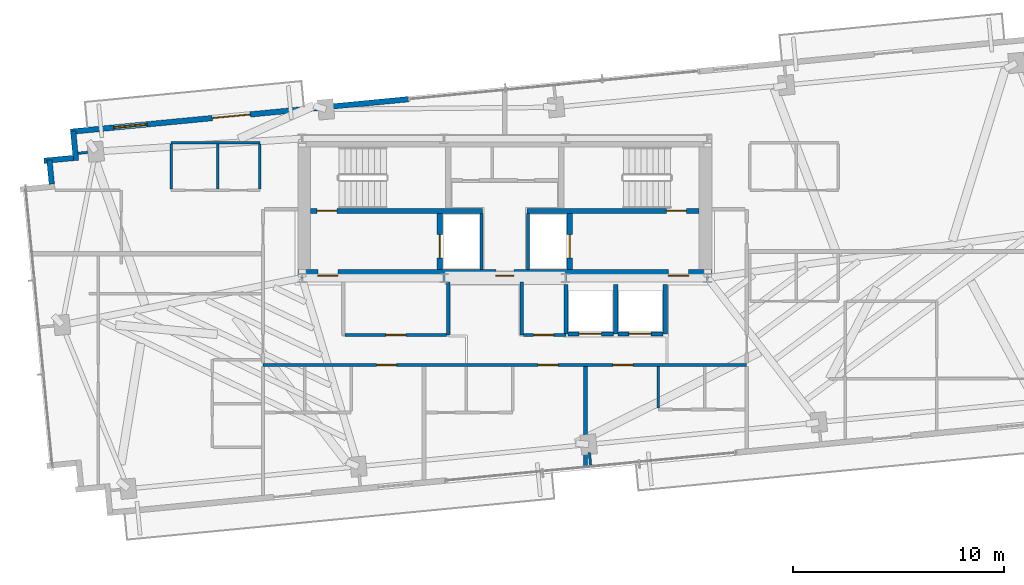
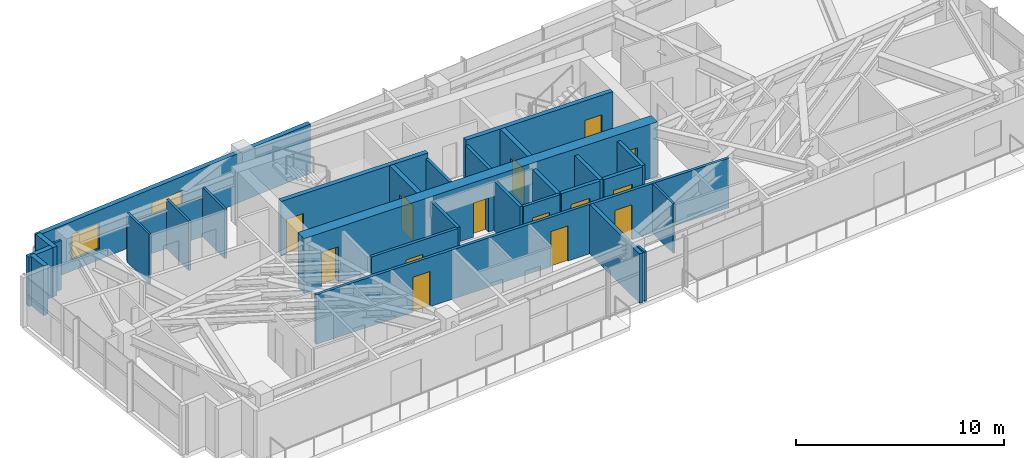
# One storey, part 14 of 18: 29 walls, 15 doors, 1 window, 16 openings.
"""IFC4 building model written with IfcOpenShell, lengths in metres."""

from ifc_helpers import new_model, si_unit, direction, frame, frame_2d, origin, place, context, subcontext, project, spatial, rectangle, extrude, source, transform, mapped, material, layer, layer_set, type_object, type_shapes, element, fill, save


model = new_model("IFC4")

# Units and contexts
model_context = context("Model", 3, precision=1e-05, world=origin(), true_north=direction((0.0, 1.0)))
body_context = subcontext(model_context, "Body", "Model", "MODEL_VIEW")
ifc_project = project(units=[si_unit("LENGTHUNIT", "METRE"), si_unit("AREAUNIT", "SQUARE_METRE"), si_unit("VOLUMEUNIT", "CUBIC_METRE"), si_unit("PLANEANGLEUNIT", "RADIAN"), si_unit("MASSUNIT", "GRAM", prefix="KILO")], contexts=[model_context])

# Site, building, storey
site_placement = place(None, origin())
site = spatial("IfcSite", under=ifc_project, at=site_placement, CompositionType="ELEMENT")
building_placement = place(site_placement, origin())
building = spatial("IfcBuilding", under=site, at=building_placement, Name="Astriad Promenade Condominiums", CompositionType="ELEMENT")
storey_placement = place(building_placement, frame((0.0, 0.0, 208.199951171875)))
storey = spatial("IfcBuildingStorey", under=building, at=storey_placement, Name="L60", CompositionType="ELEMENT", Elevation=208.199951171875)

# Wall, openings, doors
ifc_material_1 = material(Name="Concrete C50/60", Category="concrete")
ifc_layer_1 = layer(ifc_material_1, 0.60009765625)
ifc_layer_set_1 = layer_set([ifc_layer_1], Name="Concrete C50/60")
wall_type_1 = type_object("IfcWallType", Name="CW-SHEAR-600", PredefinedType="SHEAR", material=ifc_layer_set_1)
wall_1_placement = place(storey_placement, frame((26.199951171875, 17.5, 0.0), z_axis=(0.0, 0.0, 1.0), x_axis=(1.0, 0.0, 0.0)))
wall_1 = element("IfcWall", 1, at=wall_1_placement, inside=storey, type_object=wall_type_1, Name="CW-CORE-S-L60", PredefinedType="SHEAR", context=body_context, shape_type="SweptSolid", body=[
    extrude(rectangle(XDim=19.60009765625, YDim=0.60009765625, at=frame_2d((9.800048828125, 0.0))), origin(), (0.0, 0.0, 1.0), 3.199951171875),
])
opening_1_placement = place(wall_1_placement, frame((0.949951171875, 0.0, 0.0)))
opening_1 = element("IfcOpeningElement", 2, at=opening_1_placement, cuts=wall_1, Name="Opening FD90-ST-095", PredefinedType="OPENING", context=body_context, shape_type="SweptSolid", body=[
    extrude(rectangle(XDim=0.949951171875, YDim=2.06005859375, at=frame_2d((0.47509765625, 1.030029296875))), frame((0.0, 0.31005859375, 0.0), z_axis=(0.0, -1.0, 0.0), x_axis=(1.0, 0.0, 0.0)), (0.0, 0.0, 1.0), 0.6201171875),
])
opening_2_placement = place(wall_1_placement, frame((9.3798828125, 0.0, 0.0)))
opening_2 = element("IfcOpeningElement", 3, at=opening_2_placement, cuts=wall_1, Name="Opening FD60-ULOW-085", PredefinedType="OPENING", context=body_context, shape_type="SweptSolid", body=[
    extrude(rectangle(XDim=0.85009765625, YDim=2.0, at=frame_2d((0.425048828125, 1.0))), frame((0.0, 0.31005859375, 0.0), z_axis=(0.0, -1.0, 0.0), x_axis=(1.0, 0.0, 0.0)), (0.0, 0.0, 1.0), 0.6201171875),
])
opening_3_placement = place(wall_1_placement, frame((17.550048828125, 0.0, 0.0)))
opening_3 = element("IfcOpeningElement", 4, at=opening_3_placement, cuts=wall_1, Name="Opening FD90-ST-095", PredefinedType="OPENING", context=body_context, shape_type="SweptSolid", body=[
    extrude(rectangle(XDim=0.949951171875, YDim=2.06005859375, at=frame_2d((0.47509765625, 1.030029296875))), frame((0.0, 0.31005859375, 0.0), z_axis=(0.0, -1.0, 0.0), x_axis=(1.0, 0.0, 0.0)), (0.0, 0.0, 1.0), 0.6201171875),
])
ifc_material_2 = material(Name="Fire-Rated Hollow Metal Stair Door")
door_type_1 = type_object("IfcDoorType", Name="FD90-ST-095", OperationType="NOTDEFINED", PredefinedType="DOOR", material=ifc_material_2)
shared_shape_1 = source(origin(), body_context, "Body", "SweptSolid", [
    extrude(rectangle(XDim=0.949951171875, YDim=2.06005859375, at=frame_2d((0.47509765625, 1.030029296875))), frame((0.0, 0.02490234375, 0.0), z_axis=(0.0, -1.0, 0.0), x_axis=(1.0, 0.0, 0.0)), (0.0, 0.0, 1.0), 0.050048828125),
])
type_shapes(door_type_1, [shared_shape_1])
door_1_placement = place(opening_1_placement, origin())
door_1 = element("IfcDoor", 5, at=door_1_placement, inside=storey, type_object=door_type_1, Name="D-FFW-L60", OperationType="SINGLE_SWING_LEFT", OverallHeight=2.06005859375, OverallWidth=0.949951171875, PredefinedType="DOOR", context=body_context, shape_type="MappedRepresentation", body=[
    mapped(shared_shape_1, transform((0.0, 0.0, 0.0), scale=1.0)),
])
fill(opening_1, door_1)
door_2_placement = place(opening_3_placement, origin())
door_2 = element("IfcDoor", 6, at=door_2_placement, inside=storey, type_object=door_type_1, Name="D-FFE-L60", OperationType="SINGLE_SWING_RIGHT", OverallHeight=2.06005859375, OverallWidth=0.949951171875, PredefinedType="DOOR", context=body_context, shape_type="MappedRepresentation", body=[
    mapped(shared_shape_1, transform((0.0, 0.0, 0.0), scale=1.0)),
])
fill(opening_3, door_2)
ifc_material_3 = material(Name="Solid-Core Low-Headroom Fire Door")
door_type_2 = type_object("IfcDoorType", Name="FD60-ULOW-085", OperationType="NOTDEFINED", PredefinedType="DOOR", material=ifc_material_3)
shared_shape_2 = source(origin(), body_context, "Body", "SweptSolid", [
    extrude(rectangle(XDim=0.85009765625, YDim=2.0, at=frame_2d((0.425048828125, 1.0))), frame((0.0, 0.02490234375, 0.0), z_axis=(0.0, -1.0, 0.0), x_axis=(1.0, 0.0, 0.0)), (0.0, 0.0, 1.0), 0.050048828125),
])
type_shapes(door_type_2, [shared_shape_2])
door_3_placement = place(opening_2_placement, origin())
door_3 = element("IfcDoor", 7, at=door_3_placement, inside=storey, type_object=door_type_2, Name="D-CSL-L60", OperationType="SINGLE_SWING_RIGHT", OverallHeight=2.0, OverallWidth=0.85009765625, PredefinedType="DOOR", context=body_context, shape_type="MappedRepresentation", body=[
    mapped(shared_shape_2, transform((0.0, 0.0, 0.0), scale=1.0)),
])
fill(opening_2, door_3)

# Wall, opening, door
ifc_layer_2 = layer(ifc_material_1, 0.25)
ifc_layer_set_2 = layer_set([ifc_layer_2], Name="Concrete C50/60")
wall_type_2 = type_object("IfcWallType", Name="WALL-CORE-INT-250", PredefinedType="SOLIDWALL", material=ifc_layer_set_2)
wall_2_placement = place(storey_placement, frame((26.802001953125, 20.574951171875, 0.0), z_axis=(0.0, 0.0, 1.0), x_axis=(1.0, 0.0, 0.0)))
wall_2 = element("IfcWall", 8, at=wall_2_placement, inside=storey, type_object=wall_type_2, Name="CW-INT-H1-L60", PredefinedType="SOLIDWALL", context=body_context, shape_type="SweptSolid", body=[
    extrude(rectangle(XDim=8.14794921875, YDim=0.25, at=frame_2d((4.073974609375, 0.0))), origin(), (0.0, 0.0, 1.0), 3.199951171875),
])
opening_4_placement = place(wall_2_placement, frame((0.298095703125, 0.0, 0.0)))
opening_4 = element("IfcOpeningElement", 9, at=opening_4_placement, cuts=wall_2, Name="Opening FD90-ST-095", PredefinedType="OPENING", context=body_context, shape_type="SweptSolid", body=[
    extrude(rectangle(XDim=0.949951171875, YDim=2.06005859375, at=frame_2d((0.47509765625, 1.030029296875))), frame((0.0, 0.135009765625, 0.0), z_axis=(0.0, -1.0, 0.0), x_axis=(1.0, 0.0, 0.0)), (0.0, 0.0, 1.0), 0.27001953125),
])
door_4_placement = place(opening_4_placement, origin())
door_4 = element("IfcDoor", 10, at=door_4_placement, inside=storey, type_object=door_type_1, Name="D-ST1-L60", OperationType="SINGLE_SWING_RIGHT", OverallHeight=2.06005859375, OverallWidth=0.949951171875, PredefinedType="DOOR", context=body_context, shape_type="MappedRepresentation", body=[
    mapped(shared_shape_1, transform((0.0, 0.0, 0.0), scale=1.0)),
])
fill(opening_4, door_4)

wall_3_placement = place(storey_placement, frame((37.050048828125, 20.574951171875, 0.0), z_axis=(0.0, 0.0, 1.0), x_axis=(1.0, 0.0, 0.0)))
wall_3 = element("IfcWall", 11, at=wall_3_placement, inside=storey, type_object=wall_type_2, Name="CW-INT-H2-L60", PredefinedType="SOLIDWALL", context=body_context, shape_type="SweptSolid", body=[
    extrude(rectangle(XDim=8.14794921875, YDim=0.25, at=frame_2d((4.073974609375, 0.0))), origin(), (0.0, 0.0, 1.0), 3.199951171875),
])
opening_5_placement = place(wall_3_placement, frame((6.60009765625, 0.0, 0.0)))
opening_5 = element("IfcOpeningElement", 12, at=opening_5_placement, cuts=wall_3, Name="Opening FD90-ST-095", PredefinedType="OPENING", context=body_context, shape_type="SweptSolid", body=[
    extrude(rectangle(XDim=0.949951171875, YDim=2.06005859375, at=frame_2d((0.47509765625, 1.030029296875))), frame((0.0, 0.135009765625, 0.0), z_axis=(0.0, -1.0, 0.0), x_axis=(1.0, 0.0, 0.0)), (0.0, 0.0, 1.0), 0.27001953125),
])
door_5_placement = place(opening_5_placement, origin())
door_5 = element("IfcDoor", 13, at=door_5_placement, inside=storey, type_object=door_type_1, Name="D-ST2-L60", OperationType="SINGLE_SWING_LEFT", OverallHeight=2.06005859375, OverallWidth=0.949951171875, PredefinedType="DOOR", context=body_context, shape_type="MappedRepresentation", body=[
    mapped(shared_shape_1, transform((0.0, 0.0, 0.0), scale=1.0)),
])
fill(opening_5, door_5)

wall_4_placement = place(storey_placement, frame((32.925048828125, 17.802001953125, 0.0), z_axis=(0.0, 0.0, 1.0), x_axis=(0.0, 1.0, 0.0)))
wall_4 = element("IfcWall", 14, at=wall_4_placement, inside=storey, type_object=wall_type_2, Name="CW-FFL1-W-L60", PredefinedType="SOLIDWALL", context=body_context, shape_type="SweptSolid", body=[
    extrude(rectangle(XDim=2.64599609375, YDim=0.25, at=frame_2d((1.322998046875, 0.0))), origin(), (0.0, 0.0, 1.0), 3.199951171875),
])
opening_6_placement = place(wall_4_placement, frame((0.548095703125, 0.0, 0.0)))
opening_6 = element("IfcOpeningElement", 15, at=opening_6_placement, cuts=wall_4, Name="Opening LD-FFL-1122", PredefinedType="OPENING", context=body_context, shape_type="SweptSolid", body=[
    extrude(rectangle(XDim=1.10009765625, YDim=2.080078125, at=frame_2d((0.550048828125, 1.0400390625))), frame((0.0, 0.135009765625, 0.0), z_axis=(0.0, -1.0, 0.0), x_axis=(1.0, 0.0, 0.0)), (0.0, 0.0, 1.0), 0.27001953125),
])
ifc_material_4 = material(Name="Brushed Stainless Steel Fire Elevator Landing Door", Category="steel")
door_type_3 = type_object("IfcDoorType", Name="LD-FFL-1122", OperationType="NOTDEFINED", PredefinedType="DOOR", material=ifc_material_4)
shared_shape_3 = source(origin(), body_context, "Body", "SweptSolid", [
    extrude(rectangle(XDim=1.10009765625, YDim=2.080078125, at=frame_2d((0.550048828125, 1.0400390625))), frame((0.0, 0.02490234375, 0.0), z_axis=(0.0, -1.0, 0.0), x_axis=(1.0, 0.0, 0.0)), (0.0, 0.0, 1.0), 0.050048828125),
])
type_shapes(door_type_3, [shared_shape_3])
door_6_placement = place(opening_6_placement, origin())
door_6 = element("IfcDoor", 16, at=door_6_placement, inside=storey, type_object=door_type_3, Name="Elevator Landing Door FFL-1 (L60)", OperationType="SLIDING_TO_LEFT", OverallHeight=2.080078125, OverallWidth=1.10009765625, PredefinedType="DOOR", context=body_context, shape_type="MappedRepresentation", body=[
    mapped(shared_shape_3, transform((0.0, 0.0, 0.0), scale=1.0)),
])
fill(opening_6, door_6)

wall_5_placement = place(storey_placement, frame((39.074951171875, 17.802001953125, 0.0), z_axis=(0.0, 0.0, 1.0), x_axis=(0.0, 1.0, 0.0)))
wall_5 = element("IfcWall", 17, at=wall_5_placement, inside=storey, type_object=wall_type_2, Name="CW-FFL2-E-L60", PredefinedType="SOLIDWALL", context=body_context, shape_type="SweptSolid", body=[
    extrude(rectangle(XDim=2.64599609375, YDim=0.25, at=frame_2d((1.322998046875, 0.0))), origin(), (0.0, 0.0, 1.0), 3.199951171875),
])
opening_7_placement = place(wall_5_placement, frame((0.548095703125, 0.0, 0.0)))
opening_7 = element("IfcOpeningElement", 18, at=opening_7_placement, cuts=wall_5, Name="Opening LD-FFL-1122", PredefinedType="OPENING", context=body_context, shape_type="SweptSolid", body=[
    extrude(rectangle(XDim=1.10009765625, YDim=2.080078125, at=frame_2d((0.550048828125, 1.0400390625))), frame((0.0, 0.135009765625, 0.0), z_axis=(0.0, -1.0, 0.0), x_axis=(1.0, 0.0, 0.0)), (0.0, 0.0, 1.0), 0.27001953125),
])
door_7_placement = place(opening_7_placement, origin())
door_7 = element("IfcDoor", 19, at=door_7_placement, inside=storey, type_object=door_type_3, Name="Elevator Landing Door FFL-2 (L60)", OperationType="SLIDING_TO_RIGHT", OverallHeight=2.080078125, OverallWidth=1.10009765625, PredefinedType="DOOR", context=body_context, shape_type="MappedRepresentation", body=[
    mapped(shared_shape_3, transform((0.0, 0.0, 0.0), scale=1.0)),
])
fill(opening_7, door_7)

# Walls
ifc_material_5 = material(Name="Fire-Rated Gypsum Partition")
ifc_layer_3 = layer(ifc_material_5, 0.159912109375)
ifc_layer_set_3 = layer_set([ifc_layer_3], Name="Fire-Rated Gypsum Partition")
wall_type_3 = type_object("IfcWallType", Name="WALL-CORR-160", PredefinedType="PARTITIONING", material=ifc_layer_set_3)
for number, where, z_axis, x_axis, name in (
    (20, (34.89990234375, 17.802001953125, 0.0), (0.0, 0.0, 1.0), (0.0, 1.0, 0.0), "CW-FFL1-E-L60"),
    (21, (37.10009765625, 17.802001953125, 0.0), (0.0, 0.0, 1.0), (0.0, 1.0, 0.0), "CW-FFL2-W-L60"),
):
    element("IfcWall", number, at=place(storey_placement, frame(where, z_axis=z_axis, x_axis=x_axis)), inside=storey, type_object=wall_type_3, Name=name, PredefinedType="PARTITIONING", context=body_context, shape_type="SweptSolid", body=[
        extrude(rectangle(XDim=2.64599609375, YDim=0.159912109375, at=frame_2d((1.322998046875, 0.0))), origin(), (0.0, 0.0, 1.0), 2.900146484375),
    ])

# Wall, openings, doors
wall_6_placement = place(storey_placement, frame((24.550048828125, 13.280029296875, 0.0), z_axis=(0.0, 0.0, 1.0), x_axis=(1.0, 0.0, 0.0)))
wall_6 = element("IfcWall", 22, at=wall_6_placement, inside=storey, type_object=wall_type_3, Name="PT-COR-S-L60", PredefinedType="PARTITIONING", context=body_context, shape_type="SweptSolid", body=[
    extrude(rectangle(XDim=22.89990234375, YDim=0.159912109375, at=frame_2d((11.449951171875, 0.0))), origin(), (0.0, 0.0, 1.0), 2.900146484375),
])
opening_8_placement = place(wall_6_placement, frame((5.3779296875, 0.0, 0.0)))
opening_8 = element("IfcOpeningElement", 23, at=opening_8_placement, cuts=wall_6, Name="Opening FD60-APT-095", PredefinedType="OPENING", context=body_context, shape_type="SweptSolid", body=[
    extrude(rectangle(XDim=0.949951171875, YDim=2.06005859375, at=frame_2d((0.47509765625, 1.030029296875))), frame((0.0, 0.08984375, 0.0), z_axis=(0.0, -1.0, 0.0), x_axis=(1.0, 0.0, 0.0)), (0.0, 0.0, 1.0), 0.179931640625),
])
opening_9_placement = place(wall_6_placement, frame((13.02490234375, 0.0, 0.0)))
opening_9 = element("IfcOpeningElement", 24, at=opening_9_placement, cuts=wall_6, Name="Opening FD60-APT-095", PredefinedType="OPENING", context=body_context, shape_type="SweptSolid", body=[
    extrude(rectangle(XDim=0.949951171875, YDim=2.06005859375, at=frame_2d((0.47509765625, 1.030029296875))), frame((0.0, 0.08984375, 0.0), z_axis=(0.0, -1.0, 0.0), x_axis=(1.0, 0.0, 0.0)), (0.0, 0.0, 1.0), 0.179931640625),
])
opening_10_placement = place(wall_6_placement, frame((16.572021484375, 0.0, 0.0)))
opening_10 = element("IfcOpeningElement", 25, at=opening_10_placement, cuts=wall_6, Name="Opening FD60-APT-095", PredefinedType="OPENING", context=body_context, shape_type="SweptSolid", body=[
    extrude(rectangle(XDim=0.949951171875, YDim=2.06005859375, at=frame_2d((0.47509765625, 1.030029296875))), frame((0.0, 0.08984375, 0.0), z_axis=(0.0, -1.0, 0.0), x_axis=(1.0, 0.0, 0.0)), (0.0, 0.0, 1.0), 0.179931640625),
])
ifc_material_6 = material(Name="Solid-Core Acoustic Timber Residence Entry Door", Category="wood")
door_type_4 = type_object("IfcDoorType", Name="FD60-APT-095", OperationType="NOTDEFINED", PredefinedType="DOOR", material=ifc_material_6)
shared_shape_4 = source(origin(), body_context, "Body", "SweptSolid", [
    extrude(rectangle(XDim=0.949951171875, YDim=2.06005859375, at=frame_2d((0.47509765625, 1.030029296875))), frame((0.0, 0.02490234375, 0.0), z_axis=(0.0, -1.0, 0.0), x_axis=(1.0, 0.0, 0.0)), (0.0, 0.0, 1.0), 0.050048828125),
])
type_shapes(door_type_4, [shared_shape_4])
door_8_placement = place(opening_8_placement, origin())
door_8 = element("IfcDoor", 26, at=door_8_placement, inside=storey, type_object=door_type_4, Name="D-ENT-L60-S1", OperationType="SINGLE_SWING_RIGHT", OverallHeight=2.06005859375, OverallWidth=0.949951171875, PredefinedType="DOOR", context=body_context, shape_type="MappedRepresentation", body=[
    mapped(shared_shape_4, transform((0.0, 0.0, 0.0), scale=1.0)),
])
fill(opening_8, door_8)
door_9_placement = place(opening_9_placement, origin())
door_9 = element("IfcDoor", 27, at=door_9_placement, inside=storey, type_object=door_type_4, Name="D-ENT-L60-S2", OperationType="SINGLE_SWING_LEFT", OverallHeight=2.06005859375, OverallWidth=0.949951171875, PredefinedType="DOOR", context=body_context, shape_type="MappedRepresentation", body=[
    mapped(shared_shape_4, transform((0.0, 0.0, 0.0), scale=1.0)),
])
fill(opening_9, door_9)
door_10_placement = place(opening_10_placement, origin())
door_10 = element("IfcDoor", 28, at=door_10_placement, inside=storey, type_object=door_type_4, Name="D-ENT-L60-S3", OperationType="SINGLE_SWING_RIGHT", OverallHeight=2.06005859375, OverallWidth=0.949951171875, PredefinedType="DOOR", context=body_context, shape_type="MappedRepresentation", body=[
    mapped(shared_shape_4, transform((0.0, 0.0, 0.0), scale=1.0)),
])
fill(opening_10, door_10)

# Wall
wall_7_placement = place(storey_placement, frame((33.320068359375, 14.699951171875, 0.0), z_axis=(0.0, 0.0, 1.0), x_axis=(0.0, 1.0, 0.0)))
element("IfcWall", 29, at=wall_7_placement, inside=storey, type_object=wall_type_3, Name="PT-Z3REC-E-L60", PredefinedType="PARTITIONING", context=body_context, shape_type="SweptSolid", body=[
    extrude(rectangle(XDim=2.498046875, YDim=0.159912109375, at=frame_2d((1.2490234375, 0.0))), origin(), (0.0, 0.0, 1.0), 2.900146484375),
])

# Wall, opening, door
wall_8_placement = place(storey_placement, frame((28.44189453125, 14.699951171875, 0.0), z_axis=(0.0, 0.0, 1.0), x_axis=(1.0, 0.0, 0.0)))
wall_8 = element("IfcWall", 30, at=wall_8_placement, inside=storey, type_object=wall_type_3, Name="PT-Z3REC-S-L60", PredefinedType="PARTITIONING", context=body_context, shape_type="SweptSolid", body=[
    extrude(rectangle(XDim=4.796142578125, YDim=0.159912109375, at=frame_2d((2.39794921875, 0.0))), origin(), (0.0, 0.0, 1.0), 2.900146484375),
])
opening_11_placement = place(wall_8_placement, frame((1.923095703125, 0.0, 0.0)))
opening_11 = element("IfcOpeningElement", 31, at=opening_11_placement, cuts=wall_8, Name="Opening FD60-APT-095", PredefinedType="OPENING", context=body_context, shape_type="SweptSolid", body=[
    extrude(rectangle(XDim=0.949951171875, YDim=2.06005859375, at=frame_2d((0.47509765625, 1.030029296875))), frame((0.0, 0.08984375, 0.0), z_axis=(0.0, -1.0, 0.0), x_axis=(1.0, 0.0, 0.0)), (0.0, 0.0, 1.0), 0.179931640625),
])
door_11_placement = place(opening_11_placement, origin())
door_11 = element("IfcDoor", 32, at=door_11_placement, inside=storey, type_object=door_type_4, Name="D-Z3R-L60", OperationType="SINGLE_SWING_LEFT", OverallHeight=2.06005859375, OverallWidth=0.949951171875, PredefinedType="DOOR", context=body_context, shape_type="MappedRepresentation", body=[
    mapped(shared_shape_4, transform((0.0, 0.0, 0.0), scale=1.0)),
])
fill(opening_11, door_11)

# Wall
wall_9_placement = place(storey_placement, frame((36.800048828125, 14.699951171875, 0.0), z_axis=(0.0, 0.0, 1.0), x_axis=(0.0, 1.0, 0.0)))
element("IfcWall", 33, at=wall_9_placement, inside=storey, type_object=wall_type_3, Name="PT-Z3R2-W-L60", PredefinedType="PARTITIONING", context=body_context, shape_type="SweptSolid", body=[
    extrude(rectangle(XDim=2.498046875, YDim=0.159912109375, at=frame_2d((1.2490234375, 0.0))), origin(), (0.0, 0.0, 1.0), 2.900146484375),
])

# Wall, opening, door
wall_10_placement = place(storey_placement, frame((36.882080078125, 14.699951171875, 0.0), z_axis=(0.0, 0.0, 1.0), x_axis=(1.0, 0.0, 0.0)))
wall_10 = element("IfcWall", 34, at=wall_10_placement, inside=storey, type_object=wall_type_3, Name="PT-Z3R2-S-L60", PredefinedType="PARTITIONING", context=body_context, shape_type="SweptSolid", body=[
    extrude(rectangle(XDim=2.017822265625, YDim=0.159912109375, at=frame_2d((1.0087890625, 0.0))), origin(), (0.0, 0.0, 1.0), 2.900146484375),
])
opening_12_placement = place(wall_10_placement, frame((0.48291015625, 0.0, 0.0)))
opening_12 = element("IfcOpeningElement", 35, at=opening_12_placement, cuts=wall_10, Name="Opening FD60-APT-095", PredefinedType="OPENING", context=body_context, shape_type="SweptSolid", body=[
    extrude(rectangle(XDim=0.949951171875, YDim=2.06005859375, at=frame_2d((0.47509765625, 1.030029296875))), frame((0.0, 0.08984375, 0.0), z_axis=(0.0, -1.0, 0.0), x_axis=(1.0, 0.0, 0.0)), (0.0, 0.0, 1.0), 0.179931640625),
])
door_12_placement = place(opening_12_placement, origin())
door_12 = element("IfcDoor", 36, at=door_12_placement, inside=storey, type_object=door_type_4, Name="D-Z3N-L60", OperationType="SINGLE_SWING_RIGHT", OverallHeight=2.06005859375, OverallWidth=0.949951171875, PredefinedType="DOOR", context=body_context, shape_type="MappedRepresentation", body=[
    mapped(shared_shape_4, transform((0.0, 0.0, 0.0), scale=1.0)),
])
fill(opening_12, door_12)

# Walls
ifc_material_7 = material(Name="Acoustic Double-Stud Gypsum Partition")
ifc_layer_4 = layer(ifc_material_7, 0.199951171875)
ifc_layer_set_4 = layer_set([ifc_layer_4], Name="Acoustic Double-Stud Gypsum Partition")
wall_type_4 = type_object("IfcWallType", Name="WALL-DEMISING-200", PredefinedType="PARTITIONING", material=ifc_layer_set_4)
wall_11_placement = place(storey_placement, frame((39.823974609375, 8.39794921875, 0.0), z_axis=(0.0, 0.0, 1.0), x_axis=(0.0, 1.0, 0.0)))
element("IfcWall", 37, at=wall_11_placement, inside=storey, type_object=wall_type_4, Name="PT-DEM-S2-L60", PredefinedType="PARTITIONING", context=body_context, shape_type="SweptSolid", body=[
    extrude(rectangle(XDim=4.800048828125, YDim=0.199951171875, at=frame_2d((2.39990234375, 0.0))), origin(), (0.0, 0.0, 1.0), 2.900146484375),
])
ifc_material_8 = material(Name="Precast concrete C50/60", Category="concrete")
ifc_layer_5 = layer(ifc_material_8, 0.260009765625)
ifc_layer_set_5 = layer_set([ifc_layer_5], Name="Precast concrete C50/60")
wall_type_5 = type_object("IfcWallType", Name="WALL-EXT-TWR-260", PredefinedType="STANDARD", material=ifc_layer_set_5)
wall_12_placement = place(storey_placement, frame((14.55029296875, 21.842529296875, 0.0), z_axis=(0.0, 0.0, 1.0), x_axis=(-0.09576095695, 0.995404359607, 0.0)))
element("IfcWall", 38, at=wall_12_placement, inside=storey, type_object=wall_type_5, Name="W-SER-L60-05", PredefinedType="STANDARD", context=body_context, shape_type="SweptSolid", body=[
    extrude(rectangle(XDim=1.14990234375, YDim=0.260009765625, at=frame_2d((0.574951171875, 0.0))), origin(), (0.0, 0.0, 1.0), 2.900146484375),
])
wall_13_placement = place(storey_placement, frame((14.182861328125, 22.947265625, 0.0), z_axis=(0.0, 0.0, 1.0), x_axis=(0.99540614245, 0.095742423056, 0.0)))
element("IfcWall", 39, at=wall_13_placement, inside=storey, type_object=wall_type_5, Name="W-SER-L60-06", PredefinedType="STANDARD", context=body_context, shape_type="SweptSolid", body=[
    extrude(rectangle(XDim=1.394775390625, YDim=0.260009765625, at=frame_2d((0.697265625, 0.0))), origin(), (0.0, 0.0, 1.0), 2.900146484375),
])
wall_14_placement = place(storey_placement, frame((15.6982421875, 22.962646484375, 0.0), z_axis=(0.0, 0.0, 1.0), x_axis=(-0.09589913835, 0.995391056452, 0.0)))
element("IfcWall", 40, at=wall_14_placement, inside=storey, type_object=wall_type_5, Name="W-SER-L60-07", PredefinedType="STANDARD", context=body_context, shape_type="SweptSolid", body=[
    extrude(rectangle(XDim=1.39501953125, YDim=0.260009765625, at=frame_2d((0.697509765625, 0.0))), origin(), (0.0, 0.0, 1.0), 2.900146484375),
])

# Wall, openings, door, window
wall_15_placement = place(storey_placement, frame((15.4365234375, 24.32373046875, 0.0), z_axis=(0.0, 0.0, 1.0), x_axis=(0.995395627913, 0.095851676732, 0.0)))
wall_15 = element("IfcWall", 41, at=wall_15_placement, inside=storey, type_object=wall_type_5, Name="W-EXT-L60-N1", PredefinedType="STANDARD", context=body_context, shape_type="SweptSolid", body=[
    extrude(rectangle(XDim=16.10009765625, YDim=0.260009765625, at=frame_2d((8.050048828125, 0.0))), origin(), (0.0, 0.0, 1.0), 2.900146484375),
])
opening_13_placement = place(wall_15_placement, frame((6.742919921875, 0.0, 0.0)))
opening_13 = element("IfcOpeningElement", 42, at=opening_13_placement, cuts=wall_15, Name="Opening BD-1822-SLD", PredefinedType="OPENING", context=body_context, shape_type="SweptSolid", body=[
    extrude(rectangle(XDim=1.800048828125, YDim=2.06005859375, at=frame_2d((0.89990234375, 1.030029296875))), frame((0.0, 0.139892578125, 0.0), z_axis=(0.0, -1.0, 0.0), x_axis=(1.0, 0.0, 0.0)), (0.0, 0.0, 1.0), 0.280029296875),
])
opening_14_placement = place(wall_15_placement, frame((2.050048828125, 0.0, 0.64990234375)))
opening_14 = element("IfcOpeningElement", 43, at=opening_14_placement, cuts=wall_15, Name="Opening WIN-TWR-1620", PredefinedType="OPENING", context=body_context, shape_type="SweptSolid", body=[
    extrude(rectangle(XDim=1.60009765625, YDim=1.5, at=frame_2d((0.800048828125, 0.75))), frame((0.0, 0.139892578125, 0.0), z_axis=(0.0, -1.0, 0.0), x_axis=(1.0, 0.0, 0.0)), (0.0, 0.0, 1.0), 0.280029296875),
])
ifc_material_9 = material(Name="Thermally Broken Aluminium Sliding Balcony Door", Category="aluminium")
door_type_5 = type_object("IfcDoorType", Name="BD-1822-SLD", OperationType="NOTDEFINED", PredefinedType="DOOR", material=ifc_material_9)
shared_shape_5 = source(origin(), body_context, "Body", "SweptSolid", [
    extrude(rectangle(XDim=1.800048828125, YDim=2.06005859375, at=frame_2d((0.89990234375, 1.030029296875))), frame((0.0, 0.02490234375, 0.0), z_axis=(0.0, -1.0, 0.0), x_axis=(1.0, 0.0, 0.0)), (0.0, 0.0, 1.0), 0.050048828125),
])
type_shapes(door_type_5, [shared_shape_5])
door_13_placement = place(opening_13_placement, origin())
door_13 = element("IfcDoor", 44, at=door_13_placement, inside=storey, type_object=door_type_5, Name="BD-L60-NW", OperationType="SLIDING_TO_LEFT", OverallHeight=2.06005859375, OverallWidth=1.800048828125, PredefinedType="DOOR", context=body_context, shape_type="MappedRepresentation", body=[
    mapped(shared_shape_5, transform((0.0, 0.0, 0.0), scale=1.0)),
])
fill(opening_13, door_13)
ifc_material_10 = material(Name="Dark Tinted Triple-Glazed Aluminium Window", Category="aluminium")
window_type = type_object("IfcWindowType", Name="WIN-TWR-1620", PartitioningType="SINGLE_PANEL", PredefinedType="WINDOW", material=ifc_material_10)
shared_shape_6 = source(origin(), body_context, "Body", "SweptSolid", [
    extrude(rectangle(XDim=1.60009765625, YDim=1.5, at=frame_2d((0.800048828125, 0.75))), frame((0.0, 0.030029296875, 0.0), z_axis=(0.0, -1.0, 0.0), x_axis=(1.0, 0.0, 0.0)), (0.0, 0.0, 1.0), 0.06005859375),
])
type_shapes(window_type, [shared_shape_6])
window_placement = place(opening_14_placement, origin())
window = element("IfcWindow", 45, at=window_placement, inside=storey, type_object=window_type, Name="WIN-L60-NW", OverallHeight=1.5, OverallWidth=1.60009765625, PartitioningType="SINGLE_PANEL", PredefinedType="WINDOW", context=body_context, shape_type="MappedRepresentation", body=[
    mapped(shared_shape_6, transform((0.0, 0.0, 0.0), scale=1.0)),
])
fill(opening_14, window)

# Walls
ifc_material_11 = material(Name="Acoustic Metal-Stud Gypsum Partition")
ifc_layer_6 = layer(ifc_material_11, 0.1201171875)
ifc_layer_set_6 = layer_set([ifc_layer_6], Name="Acoustic Metal-Stud Gypsum Partition")
wall_type_6 = type_object("IfcWallType", Name="WALL-PART-120", PredefinedType="PARTITIONING", material=ifc_layer_set_6)
wall_16_placement = place(storey_placement, frame((43.27001953125, 11.23388671875, 0.0), z_axis=(0.0, 0.0, 1.0), x_axis=(0.0, 1.0, 0.0)))
element("IfcWall", 46, at=wall_16_placement, inside=storey, type_object=wall_type_6, Name="PT-L60-S3-PK", PredefinedType="PARTITIONING", context=body_context, shape_type="SweptSolid", body=[
    extrude(rectangle(XDim=1.964111328125, YDim=0.1201171875, at=frame_2d((0.98193359375, 0.0))), origin(), (0.0, 0.0, 1.0), 2.900146484375),
])
wall_17_placement = place(storey_placement, frame((20.199951171875, 23.800048828125, 0.0), z_axis=(0.0, 0.0, 1.0), x_axis=(1.0, 0.0, 0.0)))
element("IfcWall", 47, at=wall_17_placement, inside=storey, type_object=wall_type_6, Name="PT-L60-W2-PHN", PredefinedType="PARTITIONING", context=body_context, shape_type="SweptSolid", body=[
    extrude(rectangle(XDim=4.199951171875, YDim=0.1201171875, at=frame_2d((2.10009765625, 0.0))), origin(), (0.0, 0.0, 1.0), 2.26025390625),
])
for number, where, z_axis, x_axis, name in (
    (48, (20.199951171875, 21.612060546875, 0.0), (0.0, 0.0, 1.0), (0.0, 1.0, 0.0), "PT-L60-W2-PK1"),
    (49, (22.39990234375, 21.612060546875, 0.0), (0.0, 0.0, 1.0), (0.0, 1.0, 0.0), "PT-L60-W2-PK2"),
    (50, (24.39990234375, 21.612060546875, 0.0), (0.0, 0.0, 1.0), (0.0, 1.0, 0.0), "PT-L60-W2-PK3"),
):
    element("IfcWall", number, at=place(storey_placement, frame(where, z_axis=z_axis, x_axis=x_axis)), inside=storey, type_object=wall_type_6, Name=name, PredefinedType="PARTITIONING", context=body_context, shape_type="SweptSolid", body=[
        extrude(rectangle(XDim=2.1259765625, YDim=0.1201171875, at=frame_2d((1.06298828125, 0.0))), origin(), (0.0, 0.0, 1.0), 2.900146484375),
    ])
wall_18_placement = place(storey_placement, frame((40.005126953125, 9.138671875, 0.0), z_axis=(0.0, 0.0, 1.0), x_axis=(0.095977354523, -0.995383517755, 0.0)))
element("IfcWall", 51, at=wall_18_placement, inside=storey, type_object=wall_type_6, Name="PT-PIL-L60-PC03-10", PredefinedType="PARTITIONING", context=body_context, shape_type="SweptSolid", body=[
    extrude(rectangle(XDim=0.719970703125, YDim=0.1201171875, at=frame_2d((0.35986328125, 0.0))), origin(), (0.0, 0.0, 1.0), 2.900146484375),
])
wall_19_placement = place(storey_placement, frame((16.25390625, 23.34765625, 0.0), z_axis=(0.0, 0.0, 1.0), x_axis=(-0.995384576284, -0.09596637586, 0.0)))
element("IfcWall", 52, at=wall_19_placement, inside=storey, type_object=wall_type_6, Name="PT-PIL-L60-PC06-13", PredefinedType="PARTITIONING", context=body_context, shape_type="SweptSolid", body=[
    extrude(rectangle(XDim=0.4580078125, YDim=0.1201171875, at=frame_2d((0.22900390625, 0.0))), origin(), (0.0, 0.0, 1.0), 2.900146484375),
])
ifc_material_12 = material(Name="Gypsum Shaftliner Assembly")
ifc_layer_7 = layer(ifc_material_12, 0.199951171875)
ifc_layer_set_7 = layer_set([ifc_layer_7], Name="Gypsum Shaftliner Assembly")
wall_type_7 = type_object("IfcWallType", Name="WALL-SHAFT-200", PredefinedType="PARTITIONING", material=ifc_layer_set_7)
for number, where, z_axis, x_axis, name in (
    (53, (38.89990234375, 14.75, 0.0), (0.0, 0.0, 1.0), (0.0, 1.0, 0.0), "PL-MH-DIV-L60"),
    (54, (41.25, 14.75, 0.0), (0.0, 0.0, 1.0), (0.0, 1.0, 0.0), "PL-H-DIV-L60"),
    (55, (43.60009765625, 14.75, 0.0), (0.0, 0.0, 1.0), (0.0, 1.0, 0.0), "PL-E-OUT-L60"),
):
    element("IfcWall", number, at=place(storey_placement, frame(where, z_axis=z_axis, x_axis=x_axis)), inside=storey, type_object=wall_type_7, Name=name, PredefinedType="PARTITIONING", context=body_context, shape_type="SweptSolid", body=[
        extrude(rectangle(XDim=2.35009765625, YDim=0.199951171875, at=frame_2d((1.175048828125, 0.0))), origin(), (0.0, 0.0, 1.0), 2.900146484375),
    ])

# Wall, opening, door
wall_20_placement = place(storey_placement, frame((39.001953125, 14.75, 0.0), z_axis=(0.0, 0.0, 1.0), x_axis=(1.0, 0.0, 0.0)))
wall_20 = element("IfcWall", 56, at=wall_20_placement, inside=storey, type_object=wall_type_7, Name="PL-H-FRT-L60", PredefinedType="PARTITIONING", context=body_context, shape_type="SweptSolid", body=[
    extrude(rectangle(XDim=2.14599609375, YDim=0.199951171875, at=frame_2d((1.072998046875, 0.0))), origin(), (0.0, 0.0, 1.0), 2.900146484375),
])
opening_15_placement = place(wall_20_placement, frame((0.52294921875, 0.0, 0.0)))
opening_15 = element("IfcOpeningElement", 57, at=opening_15_placement, cuts=wall_20, Name="Opening LD-PL-10522", PredefinedType="OPENING", context=body_context, shape_type="SweptSolid", body=[
    extrude(rectangle(XDim=1.050048828125, YDim=2.080078125, at=frame_2d((0.52490234375, 1.0400390625))), frame((0.0, 0.10986328125, 0.0), z_axis=(0.0, -1.0, 0.0), x_axis=(1.0, 0.0, 0.0)), (0.0, 0.0, 1.0), 0.219970703125),
])
ifc_material_13 = material(Name="Brushed Bronze Passenger Elevator Landing Door")
door_type_6 = type_object("IfcDoorType", Name="LD-PL-10522", OperationType="NOTDEFINED", PredefinedType="DOOR", material=ifc_material_13)
shared_shape_7 = source(origin(), body_context, "Body", "SweptSolid", [
    extrude(rectangle(XDim=1.050048828125, YDim=2.080078125, at=frame_2d((0.52490234375, 1.0400390625))), frame((0.0, 0.02490234375, 0.0), z_axis=(0.0, -1.0, 0.0), x_axis=(1.0, 0.0, 0.0)), (0.0, 0.0, 1.0), 0.050048828125),
])
type_shapes(door_type_6, [shared_shape_7])
door_14_placement = place(opening_15_placement, origin())
door_14 = element("IfcDoor", 58, at=door_14_placement, inside=storey, type_object=door_type_6, Name="Elevator Landing Door PL-H1 (L60)", OperationType="SLIDING_TO_LEFT", OverallHeight=2.080078125, OverallWidth=1.050048828125, PredefinedType="DOOR", context=body_context, shape_type="MappedRepresentation", body=[
    mapped(shared_shape_7, transform((0.0, 0.0, 0.0), scale=1.0)),
])
fill(opening_15, door_14)

wall_21_placement = place(storey_placement, frame((41.35205078125, 14.75, 0.0), z_axis=(0.0, 0.0, 1.0), x_axis=(1.0, 0.0, 0.0)))
wall_21 = element("IfcWall", 59, at=wall_21_placement, inside=storey, type_object=wall_type_7, Name="PL-H-FRT-L60-S2", PredefinedType="PARTITIONING", context=body_context, shape_type="SweptSolid", body=[
    extrude(rectangle(XDim=2.14599609375, YDim=0.199951171875, at=frame_2d((1.072998046875, 0.0))), origin(), (0.0, 0.0, 1.0), 2.900146484375),
])
opening_16_placement = place(wall_21_placement, frame((0.52294921875, 0.0, 0.0)))
opening_16 = element("IfcOpeningElement", 60, at=opening_16_placement, cuts=wall_21, Name="Opening LD-PL-10522", PredefinedType="OPENING", context=body_context, shape_type="SweptSolid", body=[
    extrude(rectangle(XDim=1.050048828125, YDim=2.080078125, at=frame_2d((0.52490234375, 1.0400390625))), frame((0.0, 0.10986328125, 0.0), z_axis=(0.0, -1.0, 0.0), x_axis=(1.0, 0.0, 0.0)), (0.0, 0.0, 1.0), 0.219970703125),
])
door_15_placement = place(opening_16_placement, origin())
door_15 = element("IfcDoor", 61, at=door_15_placement, inside=storey, type_object=door_type_6, Name="Elevator Landing Door PL-H2 (L60)", OperationType="SLIDING_TO_RIGHT", OverallHeight=2.080078125, OverallWidth=1.050048828125, PredefinedType="DOOR", context=body_context, shape_type="MappedRepresentation", body=[
    mapped(shared_shape_7, transform((0.0, 0.0, 0.0), scale=1.0)),
])
fill(opening_16, door_15)

save(model, "model.ifc")
